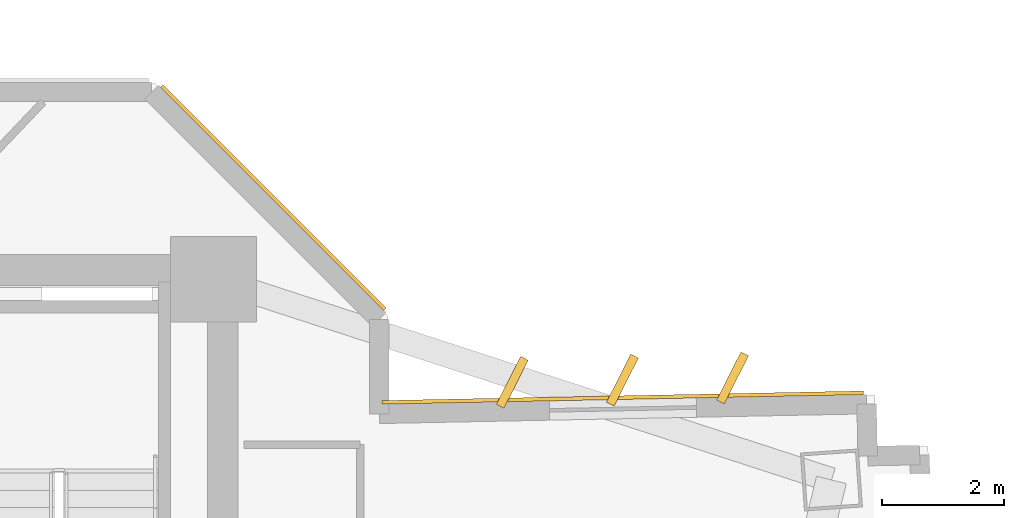
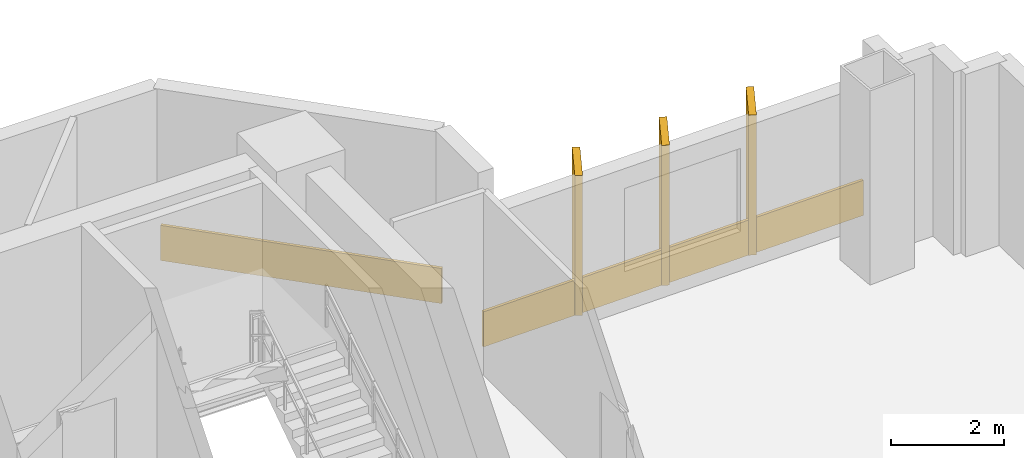
# One storey, part 15 of 15: 5 coverings.
"""IFC4 building model written with IfcOpenShell, lengths in metres."""

from ifc_helpers import new_model, si_unit, direction, frame, origin, origin_2d, place, context, subcontext, project, spatial, rectangle, extrude, source, transform, mapped, material, layer, layer_set, type_object, element, save


model = new_model("IFC4")

# Units and contexts
model_context = context("Model", 3, precision=1e-05, world=origin(), true_north=direction((0.0, 1.0)))
body_context = subcontext(model_context, "Body", "Model", "MODEL_VIEW")
ifc_project = project(units=[si_unit("LENGTHUNIT", "METRE"), si_unit("AREAUNIT", "SQUARE_METRE"), si_unit("VOLUMEUNIT", "CUBIC_METRE"), si_unit("PLANEANGLEUNIT", "RADIAN"), si_unit("MASSUNIT", "GRAM", prefix="KILO")], contexts=[model_context])

# Site, building, storey
site_placement = place(None, origin())
site = spatial("IfcSite", under=ifc_project, at=site_placement, CompositionType="ELEMENT")
building_placement = place(site_placement, origin())
building = spatial("IfcBuilding", under=site, at=building_placement, Name="Zahravan Cultural Tower", CompositionType="ELEMENT")
storey_placement = place(building_placement, frame((0.0, 0.0, 45.89990234375)))
storey = spatial("IfcBuildingStorey", under=building, at=storey_placement, Name="L09", CompositionType="ELEMENT", Elevation=45.89990234375)

# Coverings
ifc_material = material(Name="Terracotta ceramic cladding", Category="masonry")
ifc_layer = layer(ifc_material, 0.06005859375)
ifc_layer_set = layer_set([ifc_layer], Name="Terracotta ceramic cladding")
covering_type = type_object("IfcCoveringType", Name="COV-CLAD-TC60", PredefinedType="CLADDING", material=ifc_layer_set)
shared_shape_1 = source(origin(), body_context, "Body", "SweptSolid", [
    extrude(rectangle(XDim=5.157958984375, YDim=0.06005859375, at=origin_2d()), origin(), (0.0, 0.0, 1.0), 0.760009765625),
])
covering_1_placement = place(storey_placement, frame((51.331787109375, 37.53173828125, 0.02001953125), z_axis=(0.0, 0.0, 1.0), x_axis=(0.707106781187, -0.707106781187, 0.0)))
element("IfcCovering", 1, at=covering_1_placement, inside=storey, type_object=covering_type, Name="L09 Terracotta Spandrel Cladding 53", PredefinedType="CLADDING", context=body_context, shape_type="MappedRepresentation", body=[
    mapped(shared_shape_1, transform((0.0, 0.0, 0.0), x_axis=(1.0, 0.0, 0.0), y_axis=(0.0, 1.0, 0.0), z_axis=(0.0, 0.0, 1.0), scale=1.0)),
])
shared_shape_2 = source(origin(), body_context, "Body", "SweptSolid", [
    extrude(rectangle(XDim=7.864013671875, YDim=0.06005859375, at=origin_2d()), origin(), (0.0, 0.0, 1.0), 0.760009765625),
])
covering_2_placement = place(storey_placement, frame((57.03759765625, 34.264892578125, 0.02001953125), z_axis=(0.0, 0.0, 1.0), x_axis=(0.999802066131, 0.019895440708, 0.0)))
element("IfcCovering", 2, at=covering_2_placement, inside=storey, type_object=covering_type, Name="L09 Terracotta Spandrel Cladding 01", PredefinedType="CLADDING", context=body_context, shape_type="MappedRepresentation", body=[
    mapped(shared_shape_2, transform((0.0, 0.0, 0.0), x_axis=(1.0, 0.0, 0.0), y_axis=(0.0, 1.0, 0.0), z_axis=(0.0, 0.0, 1.0), scale=1.0)),
])
shared_shape_3 = source(origin(), body_context, "Body", "SweptSolid", [
    extrude(rectangle(XDim=0.8798828125, YDim=0.139892578125, at=origin_2d()), origin(), (0.0, 0.0, 1.0), 3.030029296875),
])
for number, where, z_axis, x_axis, name in (
    (3, (55.232421875, 34.51416015625, 0.05029296875), (0.0, 0.0, 1.0), (0.451812006981, 0.892113171267, 0.0), "L09 Herringbone Terracotta Fin 01"),
    (4, (57.031982421875, 34.5498046875, 0.05029296875), (0.0, 0.0, 1.0), (0.451812006981, 0.892113171267, 0.0), "L09 Herringbone Terracotta Fin 02"),
    (5, (58.83154296875, 34.585693359375, 0.05029296875), (0.0, 0.0, 1.0), (0.451812006981, 0.892113171267, 0.0), "L09 Herringbone Terracotta Fin 03"),
):
    element("IfcCovering", number, at=place(storey_placement, frame(where, z_axis=z_axis, x_axis=x_axis)), inside=storey, type_object=covering_type, Name=name, PredefinedType="CLADDING", context=body_context, shape_type="MappedRepresentation", body=[
        mapped(shared_shape_3, transform((0.0, 0.0, 0.0), x_axis=(1.0, 0.0, 0.0), y_axis=(0.0, 1.0, 0.0), z_axis=(0.0, 0.0, 1.0), scale=1.0)),
    ])

save(model, "model.ifc")
